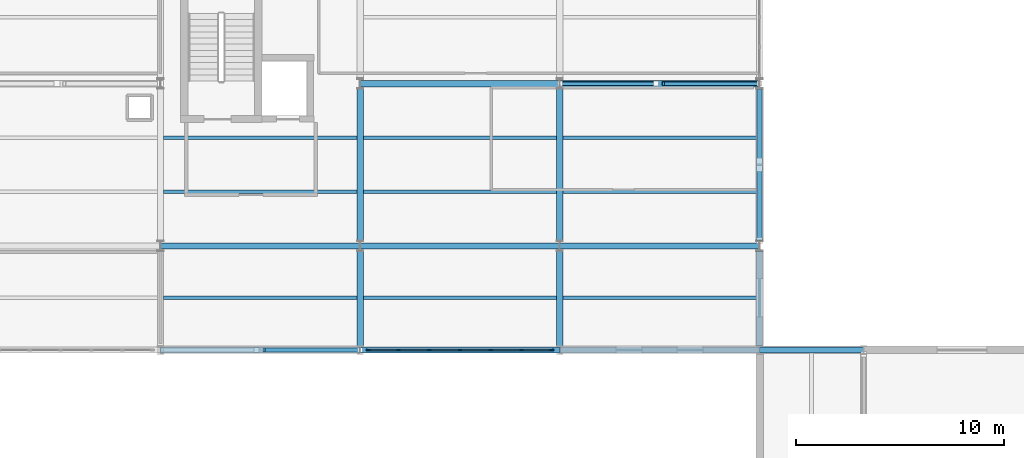
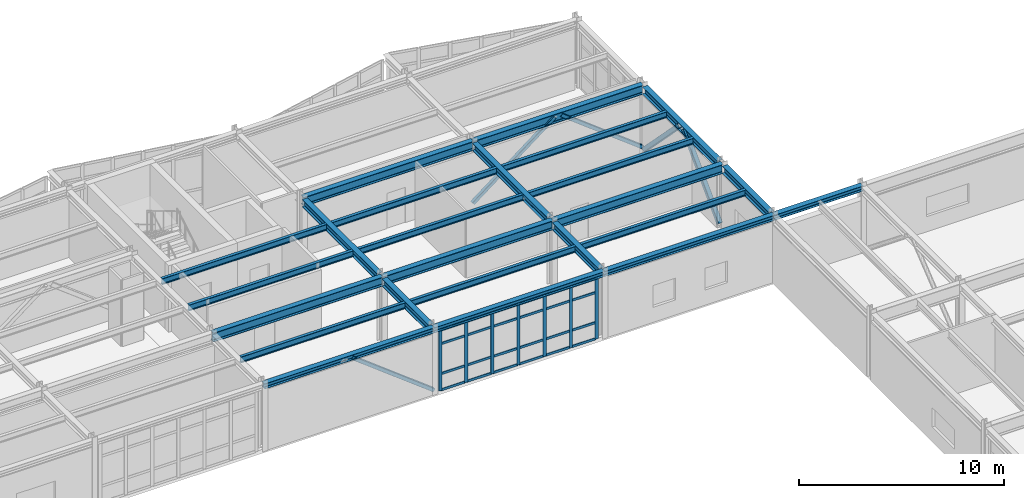
# One storey, part 43 of 88: 36 members, 24 beams, 1 element without a shape of its own.
"""IFC4 building model written with IfcOpenShell, lengths in metres."""

from ifc_helpers import new_model, si_unit, direction, frame, origin, origin_2d, place, context, subcontext, project, spatial, rectangle, hollow_rectangle, i_section, extrude, material, layer, layer_set, material_profile, profile_set, type_object, element, aggregate, save


model = new_model("IFC4")

# Units and contexts
model_context = context("Model", 3, precision=1e-05, world=origin(), true_north=direction((0.0, 1.0)))
body_context = subcontext(model_context, "Body", "Model", "MODEL_VIEW")
ifc_project = project(units=[si_unit("LENGTHUNIT", "METRE"), si_unit("AREAUNIT", "SQUARE_METRE"), si_unit("VOLUMEUNIT", "CUBIC_METRE"), si_unit("PLANEANGLEUNIT", "RADIAN"), si_unit("MASSUNIT", "GRAM", prefix="KILO")], contexts=[model_context])

# Site, building, storey
site_placement = place(None, origin())
site = spatial("IfcSite", under=ifc_project, at=site_placement, CompositionType="ELEMENT")
building_placement = place(site_placement, origin())
building = spatial("IfcBuilding", under=site, at=building_placement, Name="Nordkorset Police Headquarters", CompositionType="ELEMENT")
storey_placement = place(building_placement, frame((0.0, 0.0, 9.449951171875)))
storey = spatial("IfcBuildingStorey", under=building, at=storey_placement, Name="L02", CompositionType="ELEMENT", Elevation=9.449951171875)

# Beams
ifc_material_1 = material(Name="Steel S355J2", Category="steel")
ifc_material_profile_1 = material_profile(ifc_material_1, i_section(OverallWidth=0.169921875, OverallDepth=0.360107421875, WebThickness=0.008056640625, FlangeThickness=0.0126953125, FilletRadius=0.01806640625, at=origin_2d()), Name="IPE 360")
ifc_profile_set_1 = profile_set([ifc_material_profile_1], Name="Steel S355J2")
beam_type_1 = type_object("IfcBeamType", Name="Beam_IPE_360", PredefinedType="BEAM", material=ifc_profile_set_1)
for number, where, z_axis, x_axis, name in (
    (1, (57.75, 100.10009765625, 3.7900390625), (1.0, 0.0, 0.0), (0.0, 1.0, 0.0), "Composite Floor Beam V2 L02 3-0-1"),
    (2, (57.75, 105.199951171875, 3.7900390625), (1.0, 0.0, 0.0), (0.0, 1.0, 0.0), "Composite Floor Beam V2 L02 3-1-1"),
    (3, (57.75, 107.800048828125, 3.7900390625), (1.0, 0.0, 0.0), (0.0, 1.0, 0.0), "Composite Floor Beam V2 L02 3-1-2"),
):
    element("IfcBeam", number, at=place(storey_placement, frame(where, z_axis=z_axis, x_axis=x_axis)), inside=storey, type_object=beam_type_1, Name=name, PredefinedType="BEAM", context=body_context, shape_type="SweptSolid", body=[
        extrude(i_section(OverallWidth=0.169921875, OverallDepth=0.360107421875, WebThickness=0.008056640625, FlangeThickness=0.0126953125, FilletRadius=0.01806640625, at=origin_2d()), origin(), (0.0, 0.0, 1.0), 9.300048828125),
    ])
for number, where, z_axis, x_axis, name in (
    (4, (67.35009765625, 100.10009765625, 3.7900390625), (1.0, 0.0, 0.0), (0.0, 1.0, 0.0), "Composite Floor Beam V2 L02 4-0-1"),
    (5, (67.35009765625, 105.199951171875, 3.7900390625), (1.0, 0.0, 0.0), (0.0, 1.0, 0.0), "Composite Floor Beam V2 L02 4-1-1"),
    (6, (67.35009765625, 107.800048828125, 3.7900390625), (1.0, 0.0, 0.0), (0.0, 1.0, 0.0), "Composite Floor Beam V2 L02 4-1-2"),
):
    element("IfcBeam", number, at=place(storey_placement, frame(where, z_axis=z_axis, x_axis=x_axis)), inside=storey, type_object=beam_type_1, Name=name, PredefinedType="BEAM", context=body_context, shape_type="SweptSolid", body=[
        extrude(i_section(OverallWidth=0.169921875, OverallDepth=0.360107421875, WebThickness=0.008056640625, FlangeThickness=0.0126953125, FilletRadius=0.01806640625, at=origin_2d()), origin(), (0.0, 0.0, 1.0), 9.2998046875),
    ])
for number, where, z_axis, x_axis, name in (
    (7, (76.949951171875, 100.10009765625, 3.7900390625), (1.0, 0.0, 0.0), (0.0, 1.0, 0.0), "Composite Floor Beam V2 L02 5-0-1"),
    (8, (76.949951171875, 105.199951171875, 3.7900390625), (1.0, 0.0, 0.0), (0.0, 1.0, 0.0), "Composite Floor Beam V2 L02 5-1-1"),
    (9, (76.949951171875, 107.800048828125, 3.7900390625), (1.0, 0.0, 0.0), (0.0, 1.0, 0.0), "Composite Floor Beam V2 L02 5-1-2"),
):
    element("IfcBeam", number, at=place(storey_placement, frame(where, z_axis=z_axis, x_axis=x_axis)), inside=storey, type_object=beam_type_1, Name=name, PredefinedType="BEAM", context=body_context, shape_type="SweptSolid", body=[
        extrude(i_section(OverallWidth=0.169921875, OverallDepth=0.360107421875, WebThickness=0.008056640625, FlangeThickness=0.0126953125, FilletRadius=0.01806640625, at=origin_2d()), origin(), (0.0, 0.0, 1.0), 9.300048828125),
    ])

# Members
ifc_material_2 = material(Name="Steel S355J2", Category="steel")
ifc_material_profile_2 = material_profile(ifc_material_2, hollow_rectangle(XDim=0.199951171875, YDim=0.199951171875, WallThickness=0.010009765625, InnerFilletRadius=0.010009765625, OuterFilletRadius=0.02001953125, at=origin_2d()), Name="SHS 200x200x10")
ifc_profile_set_2 = profile_set([ifc_material_profile_2], Name="Steel S355J2")
member_type_1 = type_object("IfcMemberType", Name="Brace_SHS_200x200x10", PredefinedType="BRACE", material=ifc_profile_set_2)
for number, where, z_axis, x_axis, name in (
    (10, (76.807373046875, 110.39990234375, 0.199951171875), (0.792463355072, 0.0, 0.60991952819), (0.0, 1.0, 0.0), "Lateral Chevron Brace BF-V2-B L02 D1"),
    (11, (86.392578125, 110.39990234375, 0.199951171875), (-0.792463355072, 0.0, 0.60991952819), (0.0, -1.0, 0.0), "Lateral Chevron Brace BF-V2-B L02 D2"),
):
    element("IfcMember", number, at=place(storey_placement, frame(where, z_axis=z_axis, x_axis=x_axis)), inside=storey, type_object=member_type_1, Name=name, PredefinedType="BRACE", context=body_context, shape_type="SweptSolid", body=[
        extrude(hollow_rectangle(XDim=0.199951171875, YDim=0.199951171875, WallThickness=0.010009765625, InnerFilletRadius=0.010009765625, OuterFilletRadius=0.02001953125, at=origin_2d()), origin(), (0.0, 0.0, 1.0), 5.820556640625),
    ])
member_1_placement = place(storey_placement, frame((67.193359375, 97.60009765625, 0.199951171875), z_axis=(-0.792510158713, 0.0, 0.609858711783), x_axis=(0.0, -1.0, 0.0)))
element("IfcMember", 12, at=member_1_placement, inside=storey, type_object=member_type_1, Name="Lateral Chevron Brace BF-EXT-V2S L02 D2", PredefinedType="BRACE", context=body_context, shape_type="SweptSolid", body=[
    extrude(hollow_rectangle(XDim=0.199951171875, YDim=0.199951171875, WallThickness=0.010009765625, InnerFilletRadius=0.010009765625, OuterFilletRadius=0.02001953125, at=origin_2d()), origin(), (0.0, 0.0, 1.0), 5.821044921875),
])
ifc_material_3 = material(Name="Steel S355J2", Category="steel")
ifc_material_profile_3 = material_profile(ifc_material_3, hollow_rectangle(XDim=0.25, YDim=0.25, WallThickness=0.012451171875, InnerFilletRadius=0.012451171875, OuterFilletRadius=0.02490234375, at=origin_2d()), Name="SHS 250x250x12.5")
ifc_profile_set_3 = profile_set([ifc_material_profile_3], Name="Steel S355J2")
member_type_2 = type_object("IfcMemberType", Name="Brace_SHS_250x250x12.5", PredefinedType="BRACE", material=ifc_profile_set_3)
for number, where, z_axis, x_axis, name in (
    (13, (86.39990234375, 102.85009765625, 0.199951171875), (0.0, 0.698995261463, 0.715126299651), (-1.0, 0.0, 0.0), "Lateral Chevron Brace BF-EXT-V2E L02 D1"),
    (14, (86.39990234375, 110.14990234375, 0.199951171875), (0.0, -0.698995261463, 0.715126299651), (1.0, 0.0, 0.0), "Lateral Chevron Brace BF-EXT-V2E L02 D2"),
):
    element("IfcMember", number, at=place(storey_placement, frame(where, z_axis=z_axis, x_axis=x_axis)), inside=storey, type_object=member_type_2, Name=name, PredefinedType="BRACE", context=body_context, shape_type="SweptSolid", body=[
        extrude(hollow_rectangle(XDim=0.25, YDim=0.25, WallThickness=0.012451171875, InnerFilletRadius=0.012451171875, OuterFilletRadius=0.02490234375, at=origin_2d()), origin(), (0.0, 0.0, 1.0), 4.964111328125),
    ])

# Curtain wall, members
ifc_material_4 = material(Name="Aluminium alloy AW-6060", Category="aluminium")
ifc_layer = layer(ifc_material_4, 0.179931640625, Name="Aluminium alloy AW-6060")
ifc_layer_set = layer_set([ifc_layer], Name="Aluminium alloy AW-6060")
curtain_wall_type = type_object("IfcCurtainWallType", Name="CW_Unit_888x364", PredefinedType="USERDEFINED", material=ifc_layer_set)
curtain_wall_placement = place(storey_placement, origin())
curtain_wall = element("IfcCurtainWall", 15, at=curtain_wall_placement, inside=storey, type_object=curtain_wall_type, Name="Unitised Curtain Wall L02 V2S-4", ObjectType="UNITISED CURTAIN WALL", PredefinedType="USERDEFINED")
ifc_material_5 = material(Name="Aluminium alloy AW-6060", Category="aluminium")
ifc_material_profile_4 = material_profile(ifc_material_5, rectangle(XDim=0.06494140625, YDim=0.179931640625, at=origin_2d()), Name="ALU MULL 65x180")
ifc_profile_set_4 = profile_set([ifc_material_profile_4], Name="Aluminium alloy AW-6060")
member_type_3 = type_object("IfcMemberType", Name="CW_Mullion_65x180", PredefinedType="MULLION", material=ifc_profile_set_4)
member_2_placement = place(storey_placement, frame((67.592529296875, 97.60009765625, 0.0), z_axis=(0.0, 0.0, 1.0), x_axis=(0.0, 1.0, 0.0)))
member_2 = element("IfcMember", 16, at=member_2_placement, type_object=member_type_3, Name="CW-53 mullion 1", PredefinedType="MULLION", context=body_context, shape_type="SweptSolid", body=[
    extrude(rectangle(XDim=0.06494140625, YDim=0.179931640625, at=origin_2d()), origin(), (0.0, 0.0, 1.0), 3.64013671875),
])
member_3_placement = place(storey_placement, frame((69.0400390625, 97.60009765625, 0.0), z_axis=(0.0, 0.0, 1.0), x_axis=(0.0, 1.0, 0.0)))
member_3 = element("IfcMember", 17, at=member_3_placement, type_object=member_type_3, Name="CW-53 mullion 2", PredefinedType="MULLION", context=body_context, shape_type="SweptSolid", body=[
    extrude(rectangle(XDim=0.06494140625, YDim=0.179931640625, at=origin_2d()), origin(), (0.0, 0.0, 1.0), 3.64013671875),
])
member_4_placement = place(storey_placement, frame((70.52001953125, 97.60009765625, 0.0), z_axis=(0.0, 0.0, 1.0), x_axis=(0.0, 1.0, 0.0)))
member_4 = element("IfcMember", 18, at=member_4_placement, type_object=member_type_3, Name="CW-53 mullion 3", PredefinedType="MULLION", context=body_context, shape_type="SweptSolid", body=[
    extrude(rectangle(XDim=0.06494140625, YDim=0.179931640625, at=origin_2d()), origin(), (0.0, 0.0, 1.0), 3.64013671875),
])
member_5_placement = place(storey_placement, frame((72.0, 97.60009765625, 0.0), z_axis=(0.0, 0.0, 1.0), x_axis=(0.0, 1.0, 0.0)))
member_5 = element("IfcMember", 19, at=member_5_placement, type_object=member_type_3, Name="CW-53 mullion 4", PredefinedType="MULLION", context=body_context, shape_type="SweptSolid", body=[
    extrude(rectangle(XDim=0.06494140625, YDim=0.179931640625, at=origin_2d()), origin(), (0.0, 0.0, 1.0), 3.64013671875),
])
member_6_placement = place(storey_placement, frame((73.47998046875, 97.60009765625, 0.0), z_axis=(0.0, 0.0, 1.0), x_axis=(0.0, 1.0, 0.0)))
member_6 = element("IfcMember", 20, at=member_6_placement, type_object=member_type_3, Name="CW-53 mullion 5", PredefinedType="MULLION", context=body_context, shape_type="SweptSolid", body=[
    extrude(rectangle(XDim=0.06494140625, YDim=0.179931640625, at=origin_2d()), origin(), (0.0, 0.0, 1.0), 3.64013671875),
])
member_7_placement = place(storey_placement, frame((74.9599609375, 97.60009765625, 0.0), z_axis=(0.0, 0.0, 1.0), x_axis=(0.0, 1.0, 0.0)))
member_7 = element("IfcMember", 21, at=member_7_placement, type_object=member_type_3, Name="CW-53 mullion 6", PredefinedType="MULLION", context=body_context, shape_type="SweptSolid", body=[
    extrude(rectangle(XDim=0.06494140625, YDim=0.179931640625, at=origin_2d()), origin(), (0.0, 0.0, 1.0), 3.64013671875),
])
member_8_placement = place(storey_placement, frame((76.407470703125, 97.60009765625, 0.0), z_axis=(0.0, 0.0, 1.0), x_axis=(0.0, 1.0, 0.0)))
member_8 = element("IfcMember", 22, at=member_8_placement, type_object=member_type_3, Name="CW-53 mullion 7", PredefinedType="MULLION", context=body_context, shape_type="SweptSolid", body=[
    extrude(rectangle(XDim=0.06494140625, YDim=0.179931640625, at=origin_2d()), origin(), (0.0, 0.0, 1.0), 3.64013671875),
])
ifc_material_6 = material(Name="Aluminium alloy AW-6060", Category="aluminium")
ifc_material_profile_5 = material_profile(ifc_material_6, rectangle(XDim=0.06494140625, YDim=0.139892578125, at=origin_2d()), Name="ALU TRAN 65x140")
ifc_profile_set_5 = profile_set([ifc_material_profile_5], Name="Aluminium alloy AW-6060")
member_type_4 = type_object("IfcMemberType", Name="CW_Transom_65x140", PredefinedType="USERDEFINED", material=ifc_profile_set_5)
member_9_placement = place(storey_placement, frame((67.625, 97.60009765625, 0.032470703125), z_axis=(1.0, 0.0, 0.0), x_axis=(0.0, 1.0, 0.0)))
member_9 = element("IfcMember", 23, at=member_9_placement, type_object=member_type_4, Name="CW-53 transom 1.1", ObjectType="TRANSOM", PredefinedType="USERDEFINED", context=body_context, shape_type="SweptSolid", body=[
    extrude(rectangle(XDim=0.06494140625, YDim=0.139892578125, at=origin_2d()), origin(), (0.0, 0.0, 1.0), 1.382568359375),
])
member_10_placement = place(storey_placement, frame((67.625, 97.60009765625, 1.0), z_axis=(1.0, 0.0, 0.0), x_axis=(0.0, 1.0, 0.0)))
member_10 = element("IfcMember", 24, at=member_10_placement, type_object=member_type_4, Name="CW-53 transom 1.2", ObjectType="TRANSOM", PredefinedType="USERDEFINED", context=body_context, shape_type="SweptSolid", body=[
    extrude(rectangle(XDim=0.06494140625, YDim=0.139892578125, at=origin_2d()), origin(), (0.0, 0.0, 1.0), 1.382568359375),
])
member_11_placement = place(storey_placement, frame((67.625, 97.60009765625, 2.7900390625), z_axis=(1.0, 0.0, 0.0), x_axis=(0.0, 1.0, 0.0)))
member_11 = element("IfcMember", 25, at=member_11_placement, type_object=member_type_4, Name="CW-53 transom 1.3", ObjectType="TRANSOM", PredefinedType="USERDEFINED", context=body_context, shape_type="SweptSolid", body=[
    extrude(rectangle(XDim=0.06494140625, YDim=0.139892578125, at=origin_2d()), origin(), (0.0, 0.0, 1.0), 1.382568359375),
])
member_12_placement = place(storey_placement, frame((67.625, 97.60009765625, 3.607666015625), z_axis=(1.0, 0.0, 0.0), x_axis=(0.0, 1.0, 0.0)))
member_12 = element("IfcMember", 26, at=member_12_placement, type_object=member_type_4, Name="CW-53 transom 1.4", ObjectType="TRANSOM", PredefinedType="USERDEFINED", context=body_context, shape_type="SweptSolid", body=[
    extrude(rectangle(XDim=0.06494140625, YDim=0.139892578125, at=origin_2d()), origin(), (0.0, 0.0, 1.0), 1.382568359375),
])
member_13_placement = place(storey_placement, frame((69.072509765625, 97.60009765625, 0.032470703125), z_axis=(1.0, 0.0, 0.0), x_axis=(0.0, 1.0, 0.0)))
member_13 = element("IfcMember", 27, at=member_13_placement, type_object=member_type_4, Name="CW-53 transom 2.1", ObjectType="TRANSOM", PredefinedType="USERDEFINED", context=body_context, shape_type="SweptSolid", body=[
    extrude(rectangle(XDim=0.06494140625, YDim=0.139892578125, at=origin_2d()), origin(), (0.0, 0.0, 1.0), 1.4150390625),
])
member_14_placement = place(storey_placement, frame((69.072509765625, 97.60009765625, 1.0), z_axis=(1.0, 0.0, 0.0), x_axis=(0.0, 1.0, 0.0)))
member_14 = element("IfcMember", 28, at=member_14_placement, type_object=member_type_4, Name="CW-53 transom 2.2", ObjectType="TRANSOM", PredefinedType="USERDEFINED", context=body_context, shape_type="SweptSolid", body=[
    extrude(rectangle(XDim=0.06494140625, YDim=0.139892578125, at=origin_2d()), origin(), (0.0, 0.0, 1.0), 1.4150390625),
])
member_15_placement = place(storey_placement, frame((69.072509765625, 97.60009765625, 2.7900390625), z_axis=(1.0, 0.0, 0.0), x_axis=(0.0, 1.0, 0.0)))
member_15 = element("IfcMember", 29, at=member_15_placement, type_object=member_type_4, Name="CW-53 transom 2.3", ObjectType="TRANSOM", PredefinedType="USERDEFINED", context=body_context, shape_type="SweptSolid", body=[
    extrude(rectangle(XDim=0.06494140625, YDim=0.139892578125, at=origin_2d()), origin(), (0.0, 0.0, 1.0), 1.4150390625),
])
member_16_placement = place(storey_placement, frame((69.072509765625, 97.60009765625, 3.607666015625), z_axis=(1.0, 0.0, 0.0), x_axis=(0.0, 1.0, 0.0)))
member_16 = element("IfcMember", 30, at=member_16_placement, type_object=member_type_4, Name="CW-53 transom 2.4", ObjectType="TRANSOM", PredefinedType="USERDEFINED", context=body_context, shape_type="SweptSolid", body=[
    extrude(rectangle(XDim=0.06494140625, YDim=0.139892578125, at=origin_2d()), origin(), (0.0, 0.0, 1.0), 1.4150390625),
])
member_17_placement = place(storey_placement, frame((70.552490234375, 97.60009765625, 0.032470703125), z_axis=(1.0, 0.0, 0.0), x_axis=(0.0, 1.0, 0.0)))
member_17 = element("IfcMember", 31, at=member_17_placement, type_object=member_type_4, Name="CW-53 transom 3.1", ObjectType="TRANSOM", PredefinedType="USERDEFINED", context=body_context, shape_type="SweptSolid", body=[
    extrude(rectangle(XDim=0.06494140625, YDim=0.139892578125, at=origin_2d()), origin(), (0.0, 0.0, 1.0), 1.4150390625),
])
member_18_placement = place(storey_placement, frame((70.552490234375, 97.60009765625, 1.0), z_axis=(1.0, 0.0, 0.0), x_axis=(0.0, 1.0, 0.0)))
member_18 = element("IfcMember", 32, at=member_18_placement, type_object=member_type_4, Name="CW-53 transom 3.2", ObjectType="TRANSOM", PredefinedType="USERDEFINED", context=body_context, shape_type="SweptSolid", body=[
    extrude(rectangle(XDim=0.06494140625, YDim=0.139892578125, at=origin_2d()), origin(), (0.0, 0.0, 1.0), 1.4150390625),
])
member_19_placement = place(storey_placement, frame((70.552490234375, 97.60009765625, 2.7900390625), z_axis=(1.0, 0.0, 0.0), x_axis=(0.0, 1.0, 0.0)))
member_19 = element("IfcMember", 33, at=member_19_placement, type_object=member_type_4, Name="CW-53 transom 3.3", ObjectType="TRANSOM", PredefinedType="USERDEFINED", context=body_context, shape_type="SweptSolid", body=[
    extrude(rectangle(XDim=0.06494140625, YDim=0.139892578125, at=origin_2d()), origin(), (0.0, 0.0, 1.0), 1.4150390625),
])
member_20_placement = place(storey_placement, frame((70.552490234375, 97.60009765625, 3.607666015625), z_axis=(1.0, 0.0, 0.0), x_axis=(0.0, 1.0, 0.0)))
member_20 = element("IfcMember", 34, at=member_20_placement, type_object=member_type_4, Name="CW-53 transom 3.4", ObjectType="TRANSOM", PredefinedType="USERDEFINED", context=body_context, shape_type="SweptSolid", body=[
    extrude(rectangle(XDim=0.06494140625, YDim=0.139892578125, at=origin_2d()), origin(), (0.0, 0.0, 1.0), 1.4150390625),
])
member_21_placement = place(storey_placement, frame((72.032470703125, 97.60009765625, 0.032470703125), z_axis=(1.0, 0.0, 0.0), x_axis=(0.0, 1.0, 0.0)))
member_21 = element("IfcMember", 35, at=member_21_placement, type_object=member_type_4, Name="CW-53 transom 4.1", ObjectType="TRANSOM", PredefinedType="USERDEFINED", context=body_context, shape_type="SweptSolid", body=[
    extrude(rectangle(XDim=0.06494140625, YDim=0.139892578125, at=origin_2d()), origin(), (0.0, 0.0, 1.0), 1.4150390625),
])
member_22_placement = place(storey_placement, frame((72.032470703125, 97.60009765625, 1.0), z_axis=(1.0, 0.0, 0.0), x_axis=(0.0, 1.0, 0.0)))
member_22 = element("IfcMember", 36, at=member_22_placement, type_object=member_type_4, Name="CW-53 transom 4.2", ObjectType="TRANSOM", PredefinedType="USERDEFINED", context=body_context, shape_type="SweptSolid", body=[
    extrude(rectangle(XDim=0.06494140625, YDim=0.139892578125, at=origin_2d()), origin(), (0.0, 0.0, 1.0), 1.4150390625),
])
member_23_placement = place(storey_placement, frame((72.032470703125, 97.60009765625, 2.7900390625), z_axis=(1.0, 0.0, 0.0), x_axis=(0.0, 1.0, 0.0)))
member_23 = element("IfcMember", 37, at=member_23_placement, type_object=member_type_4, Name="CW-53 transom 4.3", ObjectType="TRANSOM", PredefinedType="USERDEFINED", context=body_context, shape_type="SweptSolid", body=[
    extrude(rectangle(XDim=0.06494140625, YDim=0.139892578125, at=origin_2d()), origin(), (0.0, 0.0, 1.0), 1.4150390625),
])
member_24_placement = place(storey_placement, frame((72.032470703125, 97.60009765625, 3.607666015625), z_axis=(1.0, 0.0, 0.0), x_axis=(0.0, 1.0, 0.0)))
member_24 = element("IfcMember", 38, at=member_24_placement, type_object=member_type_4, Name="CW-53 transom 4.4", ObjectType="TRANSOM", PredefinedType="USERDEFINED", context=body_context, shape_type="SweptSolid", body=[
    extrude(rectangle(XDim=0.06494140625, YDim=0.139892578125, at=origin_2d()), origin(), (0.0, 0.0, 1.0), 1.4150390625),
])
member_25_placement = place(storey_placement, frame((73.512451171875, 97.60009765625, 0.032470703125), z_axis=(1.0, 0.0, 0.0), x_axis=(0.0, 1.0, 0.0)))
member_25 = element("IfcMember", 39, at=member_25_placement, type_object=member_type_4, Name="CW-53 transom 5.1", ObjectType="TRANSOM", PredefinedType="USERDEFINED", context=body_context, shape_type="SweptSolid", body=[
    extrude(rectangle(XDim=0.06494140625, YDim=0.139892578125, at=origin_2d()), origin(), (0.0, 0.0, 1.0), 1.4150390625),
])
member_26_placement = place(storey_placement, frame((73.512451171875, 97.60009765625, 1.0), z_axis=(1.0, 0.0, 0.0), x_axis=(0.0, 1.0, 0.0)))
member_26 = element("IfcMember", 40, at=member_26_placement, type_object=member_type_4, Name="CW-53 transom 5.2", ObjectType="TRANSOM", PredefinedType="USERDEFINED", context=body_context, shape_type="SweptSolid", body=[
    extrude(rectangle(XDim=0.06494140625, YDim=0.139892578125, at=origin_2d()), origin(), (0.0, 0.0, 1.0), 1.4150390625),
])
member_27_placement = place(storey_placement, frame((73.512451171875, 97.60009765625, 2.7900390625), z_axis=(1.0, 0.0, 0.0), x_axis=(0.0, 1.0, 0.0)))
member_27 = element("IfcMember", 41, at=member_27_placement, type_object=member_type_4, Name="CW-53 transom 5.3", ObjectType="TRANSOM", PredefinedType="USERDEFINED", context=body_context, shape_type="SweptSolid", body=[
    extrude(rectangle(XDim=0.06494140625, YDim=0.139892578125, at=origin_2d()), origin(), (0.0, 0.0, 1.0), 1.4150390625),
])
member_28_placement = place(storey_placement, frame((73.512451171875, 97.60009765625, 3.607666015625), z_axis=(1.0, 0.0, 0.0), x_axis=(0.0, 1.0, 0.0)))
member_28 = element("IfcMember", 42, at=member_28_placement, type_object=member_type_4, Name="CW-53 transom 5.4", ObjectType="TRANSOM", PredefinedType="USERDEFINED", context=body_context, shape_type="SweptSolid", body=[
    extrude(rectangle(XDim=0.06494140625, YDim=0.139892578125, at=origin_2d()), origin(), (0.0, 0.0, 1.0), 1.4150390625),
])
member_29_placement = place(storey_placement, frame((74.992431640625, 97.60009765625, 0.032470703125), z_axis=(1.0, 0.0, 0.0), x_axis=(0.0, 1.0, 0.0)))
member_29 = element("IfcMember", 43, at=member_29_placement, type_object=member_type_4, Name="CW-53 transom 6.1", ObjectType="TRANSOM", PredefinedType="USERDEFINED", context=body_context, shape_type="SweptSolid", body=[
    extrude(rectangle(XDim=0.06494140625, YDim=0.139892578125, at=origin_2d()), origin(), (0.0, 0.0, 1.0), 1.382568359375),
])
member_30_placement = place(storey_placement, frame((74.992431640625, 97.60009765625, 1.0), z_axis=(1.0, 0.0, 0.0), x_axis=(0.0, 1.0, 0.0)))
member_30 = element("IfcMember", 44, at=member_30_placement, type_object=member_type_4, Name="CW-53 transom 6.2", ObjectType="TRANSOM", PredefinedType="USERDEFINED", context=body_context, shape_type="SweptSolid", body=[
    extrude(rectangle(XDim=0.06494140625, YDim=0.139892578125, at=origin_2d()), origin(), (0.0, 0.0, 1.0), 1.382568359375),
])
member_31_placement = place(storey_placement, frame((74.992431640625, 97.60009765625, 2.7900390625), z_axis=(1.0, 0.0, 0.0), x_axis=(0.0, 1.0, 0.0)))
member_31 = element("IfcMember", 45, at=member_31_placement, type_object=member_type_4, Name="CW-53 transom 6.3", ObjectType="TRANSOM", PredefinedType="USERDEFINED", context=body_context, shape_type="SweptSolid", body=[
    extrude(rectangle(XDim=0.06494140625, YDim=0.139892578125, at=origin_2d()), origin(), (0.0, 0.0, 1.0), 1.382568359375),
])
member_32_placement = place(storey_placement, frame((74.992431640625, 97.60009765625, 3.607666015625), z_axis=(1.0, 0.0, 0.0), x_axis=(0.0, 1.0, 0.0)))
member_32 = element("IfcMember", 46, at=member_32_placement, type_object=member_type_4, Name="CW-53 transom 6.4", ObjectType="TRANSOM", PredefinedType="USERDEFINED", context=body_context, shape_type="SweptSolid", body=[
    extrude(rectangle(XDim=0.06494140625, YDim=0.139892578125, at=origin_2d()), origin(), (0.0, 0.0, 1.0), 1.382568359375),
])
aggregate(curtain_wall, [member_2, member_3, member_4, member_5, member_6, member_7, member_8, member_9, member_10, member_11, member_12, member_13, member_14, member_15, member_16, member_17, member_18, member_19, member_20, member_21, member_22, member_23, member_24, member_25, member_26, member_27, member_28, member_29, member_30, member_31, member_32])

# Beams
ifc_material_7 = material(Name="Steel S355J2", Category="steel")
ifc_material_profile_6 = material_profile(ifc_material_7, i_section(OverallWidth=0.300048828125, OverallDepth=0.43994140625, WebThickness=0.011474609375, FlangeThickness=0.02099609375, FilletRadius=0.027099609375, at=origin_2d()), Name="HEA 450")
ifc_profile_set_6 = profile_set([ifc_material_profile_6], Name="Steel S355J2")
beam_type_2 = type_object("IfcBeamType", Name="Girder_HEA_450", PredefinedType="USERDEFINED", material=ifc_profile_set_6)
beam_1_placement = place(storey_placement, frame((67.199951171875, 97.800048828125, 3.75), z_axis=(0.0, 1.0, 0.0), x_axis=(-1.0, 0.0, 0.0)))
element("IfcBeam", 47, at=beam_1_placement, inside=storey, type_object=beam_type_2, Name="Girder V2 L02 GY-4-0", ObjectType="GIRDER", PredefinedType="USERDEFINED", context=body_context, shape_type="SweptSolid", body=[
    extrude(i_section(OverallWidth=0.300048828125, OverallDepth=0.43994140625, WebThickness=0.011474609375, FlangeThickness=0.02099609375, FilletRadius=0.027099609375, at=origin_2d()), origin(), (0.0, 0.0, 1.0), 4.550048828125),
])
beam_2_placement = place(storey_placement, frame((67.199951171875, 102.85009765625, 3.75), z_axis=(0.0, 1.0, 0.0), x_axis=(-1.0, 0.0, 0.0)))
element("IfcBeam", 48, at=beam_2_placement, inside=storey, type_object=beam_type_2, Name="Girder V2 L02 GY-4-1", ObjectType="GIRDER", PredefinedType="USERDEFINED", context=body_context, shape_type="SweptSolid", body=[
    extrude(i_section(OverallWidth=0.300048828125, OverallDepth=0.43994140625, WebThickness=0.011474609375, FlangeThickness=0.02099609375, FilletRadius=0.027099609375, at=origin_2d()), origin(), (0.0, 0.0, 1.0), 7.2998046875),
])
beam_3_placement = place(storey_placement, frame((76.800048828125, 97.800048828125, 3.75), z_axis=(0.0, 1.0, 0.0), x_axis=(-1.0, 0.0, 0.0)))
element("IfcBeam", 49, at=beam_3_placement, inside=storey, type_object=beam_type_2, Name="Girder V2 L02 GY-5-0", ObjectType="GIRDER", PredefinedType="USERDEFINED", context=body_context, shape_type="SweptSolid", body=[
    extrude(i_section(OverallWidth=0.300048828125, OverallDepth=0.43994140625, WebThickness=0.011474609375, FlangeThickness=0.02099609375, FilletRadius=0.027099609375, at=origin_2d()), origin(), (0.0, 0.0, 1.0), 4.550048828125),
])
beam_4_placement = place(storey_placement, frame((76.800048828125, 102.85009765625, 3.75), z_axis=(0.0, 1.0, 0.0), x_axis=(-1.0, 0.0, 0.0)))
element("IfcBeam", 50, at=beam_4_placement, inside=storey, type_object=beam_type_2, Name="Girder V2 L02 GY-5-1", ObjectType="GIRDER", PredefinedType="USERDEFINED", context=body_context, shape_type="SweptSolid", body=[
    extrude(i_section(OverallWidth=0.300048828125, OverallDepth=0.43994140625, WebThickness=0.011474609375, FlangeThickness=0.02099609375, FilletRadius=0.027099609375, at=origin_2d()), origin(), (0.0, 0.0, 1.0), 7.2998046875),
])
beam_5_placement = place(storey_placement, frame((86.39990234375, 97.800048828125, 3.75), z_axis=(0.0, 1.0, 0.0), x_axis=(-1.0, 0.0, 0.0)))
element("IfcBeam", 51, at=beam_5_placement, inside=storey, type_object=beam_type_2, Name="Girder V2 L02 GY-6-0", ObjectType="GIRDER", PredefinedType="USERDEFINED", context=body_context, shape_type="SweptSolid", body=[
    extrude(i_section(OverallWidth=0.300048828125, OverallDepth=0.43994140625, WebThickness=0.011474609375, FlangeThickness=0.02099609375, FilletRadius=0.027099609375, at=origin_2d()), origin(), (0.0, 0.0, 1.0), 4.550048828125),
])
beam_6_placement = place(storey_placement, frame((86.39990234375, 102.85009765625, 3.75), z_axis=(0.0, 1.0, 0.0), x_axis=(-1.0, 0.0, 0.0)))
element("IfcBeam", 52, at=beam_6_placement, inside=storey, type_object=beam_type_2, Name="Girder V2 L02 GY-6-1", ObjectType="GIRDER", PredefinedType="USERDEFINED", context=body_context, shape_type="SweptSolid", body=[
    extrude(i_section(OverallWidth=0.300048828125, OverallDepth=0.43994140625, WebThickness=0.011474609375, FlangeThickness=0.02099609375, FilletRadius=0.027099609375, at=origin_2d()), origin(), (0.0, 0.0, 1.0), 7.2998046875),
])
ifc_material_8 = material(Name="Steel S355J2", Category="steel")
ifc_material_profile_7 = material_profile(ifc_material_8, i_section(OverallWidth=0.300048828125, OverallDepth=0.5400390625, WebThickness=0.012451171875, FlangeThickness=0.02392578125, FilletRadius=0.027099609375, at=origin_2d()), Name="HEA 550")
ifc_profile_set_7 = profile_set([ifc_material_profile_7], Name="Steel S355J2")
beam_type_3 = type_object("IfcBeamType", Name="Girder_HEA_550", PredefinedType="USERDEFINED", material=ifc_profile_set_7)
beam_7_placement = place(storey_placement, frame((57.607421875, 102.60009765625, 3.699951171875), z_axis=(1.0, 0.0, 0.0), x_axis=(0.0, 1.0, 0.0)))
element("IfcBeam", 53, at=beam_7_placement, inside=storey, type_object=beam_type_3, Name="Girder V2 L02 GX-1-3", ObjectType="GIRDER", PredefinedType="USERDEFINED", context=body_context, shape_type="SweptSolid", body=[
    extrude(i_section(OverallWidth=0.300048828125, OverallDepth=0.5400390625, WebThickness=0.012451171875, FlangeThickness=0.02392578125, FilletRadius=0.027099609375, at=origin_2d()), origin(), (0.0, 0.0, 1.0), 9.585205078125),
])
beam_8_placement = place(storey_placement, frame((67.207275390625, 102.60009765625, 3.699951171875), z_axis=(1.0, 0.0, 0.0), x_axis=(0.0, 1.0, 0.0)))
element("IfcBeam", 54, at=beam_8_placement, inside=storey, type_object=beam_type_3, Name="Girder V2 L02 GX-1-4", ObjectType="GIRDER", PredefinedType="USERDEFINED", context=body_context, shape_type="SweptSolid", body=[
    extrude(i_section(OverallWidth=0.300048828125, OverallDepth=0.5400390625, WebThickness=0.012451171875, FlangeThickness=0.02392578125, FilletRadius=0.027099609375, at=origin_2d()), origin(), (0.0, 0.0, 1.0), 9.58544921875),
])
beam_9_placement = place(storey_placement, frame((76.807373046875, 102.60009765625, 3.699951171875), z_axis=(1.0, 0.0, 0.0), x_axis=(0.0, 1.0, 0.0)))
element("IfcBeam", 55, at=beam_9_placement, inside=storey, type_object=beam_type_3, Name="Girder V2 L02 GX-1-5", ObjectType="GIRDER", PredefinedType="USERDEFINED", context=body_context, shape_type="SweptSolid", body=[
    extrude(i_section(OverallWidth=0.300048828125, OverallDepth=0.5400390625, WebThickness=0.012451171875, FlangeThickness=0.02392578125, FilletRadius=0.027099609375, at=origin_2d()), origin(), (0.0, 0.0, 1.0), 9.585205078125),
])
beam_10_placement = place(storey_placement, frame((67.207275390625, 110.39990234375, 3.699951171875), z_axis=(1.0, 0.0, 0.0), x_axis=(0.0, 1.0, 0.0)))
element("IfcBeam", 56, at=beam_10_placement, inside=storey, type_object=beam_type_3, Name="Girder V2 L02 GX-2-4", ObjectType="GIRDER", PredefinedType="USERDEFINED", context=body_context, shape_type="SweptSolid", body=[
    extrude(i_section(OverallWidth=0.300048828125, OverallDepth=0.5400390625, WebThickness=0.012451171875, FlangeThickness=0.02392578125, FilletRadius=0.027099609375, at=origin_2d()), origin(), (0.0, 0.0, 1.0), 9.58544921875),
])
beam_11_placement = place(storey_placement, frame((76.807373046875, 110.39990234375, 3.699951171875), z_axis=(1.0, 0.0, 0.0), x_axis=(0.0, 1.0, 0.0)))
element("IfcBeam", 57, at=beam_11_placement, inside=storey, type_object=beam_type_3, Name="Girder V2 L02 GX-2-5", ObjectType="GIRDER", PredefinedType="USERDEFINED", context=body_context, shape_type="SweptSolid", body=[
    extrude(i_section(OverallWidth=0.300048828125, OverallDepth=0.5400390625, WebThickness=0.012451171875, FlangeThickness=0.02392578125, FilletRadius=0.027099609375, at=origin_2d()), origin(), (0.0, 0.0, 1.0), 9.585205078125),
])
ifc_material_9 = material(Name="Steel S355J2", Category="steel")
ifc_material_profile_8 = material_profile(ifc_material_9, i_section(OverallWidth=0.300048828125, OverallDepth=0.31005859375, WebThickness=0.009033203125, FlangeThickness=0.015380859375, FilletRadius=0.027099609375, at=origin_2d()), Name="HEA 320")
ifc_profile_set_8 = profile_set([ifc_material_profile_8], Name="Steel S355J2")
beam_type_4 = type_object("IfcBeamType", Name="Spandrel_HEA_320", PredefinedType="SPANDREL", material=ifc_profile_set_8)
beam_12_placement = place(storey_placement, frame((57.606689453125, 97.60009765625, 3.81494140625), z_axis=(1.0, 0.0, 0.0), x_axis=(0.0, 1.0, 0.0)))
element("IfcBeam", 58, at=beam_12_placement, inside=storey, type_object=beam_type_4, Name="Girder V2 L02 GX-0-3", PredefinedType="SPANDREL", context=body_context, shape_type="SweptSolid", body=[
    extrude(i_section(OverallWidth=0.300048828125, OverallDepth=0.31005859375, WebThickness=0.009033203125, FlangeThickness=0.015380859375, FilletRadius=0.027099609375, at=origin_2d()), origin(), (0.0, 0.0, 1.0), 9.586669921875),
])
beam_13_placement = place(storey_placement, frame((67.206787109375, 97.60009765625, 3.81494140625), z_axis=(1.0, 0.0, 0.0), x_axis=(0.0, 1.0, 0.0)))
element("IfcBeam", 59, at=beam_13_placement, inside=storey, type_object=beam_type_4, Name="Girder V2 L02 GX-0-4", PredefinedType="SPANDREL", context=body_context, shape_type="SweptSolid", body=[
    extrude(i_section(OverallWidth=0.300048828125, OverallDepth=0.31005859375, WebThickness=0.009033203125, FlangeThickness=0.015380859375, FilletRadius=0.027099609375, at=origin_2d()), origin(), (0.0, 0.0, 1.0), 9.58642578125),
])
beam_14_placement = place(storey_placement, frame((76.806640625, 97.60009765625, 3.81005859375), z_axis=(1.0, 0.0, 0.0), x_axis=(0.0, 1.0, 0.0)))
element("IfcBeam", 60, at=beam_14_placement, inside=storey, type_object=beam_type_4, Name="Girder V2 L02 GX-0-5", PredefinedType="SPANDREL", context=body_context, shape_type="SweptSolid", body=[
    extrude(i_section(OverallWidth=0.300048828125, OverallDepth=0.31005859375, WebThickness=0.009033203125, FlangeThickness=0.015380859375, FilletRadius=0.027099609375, at=origin_2d()), origin(), (0.0, 0.0, 1.0), 9.586669921875),
])
beam_15_placement = place(storey_placement, frame((86.40673828125, 97.60009765625, 3.81005859375), z_axis=(1.0, 0.0, 0.0), x_axis=(0.0, 1.0, 0.0)))
element("IfcBeam", 61, at=beam_15_placement, inside=storey, type_object=beam_type_4, Name="Girder V5 L02 GX-5-0", PredefinedType="SPANDREL", context=body_context, shape_type="SweptSolid", body=[
    extrude(i_section(OverallWidth=0.300048828125, OverallDepth=0.31005859375, WebThickness=0.009033203125, FlangeThickness=0.015380859375, FilletRadius=0.027099609375, at=origin_2d()), origin(), (0.0, 0.0, 1.0), 4.986572265625),
])

save(model, "model.ifc")
